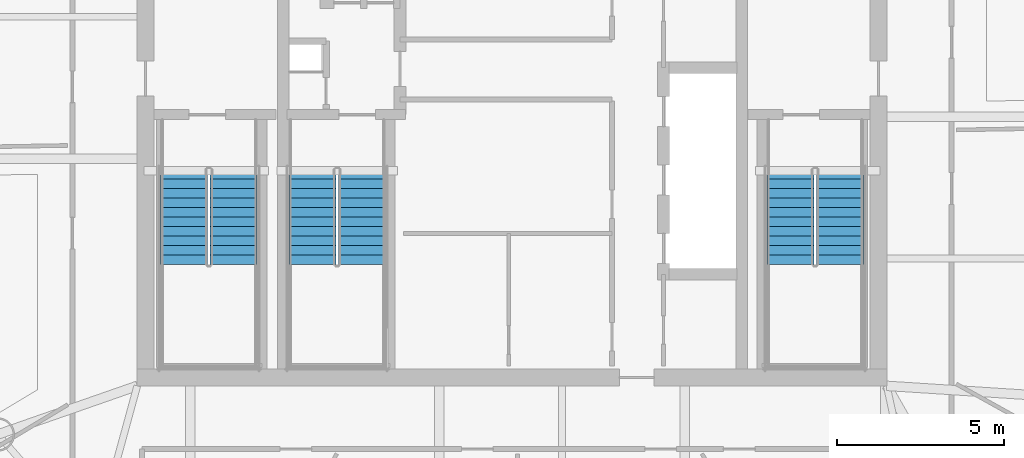
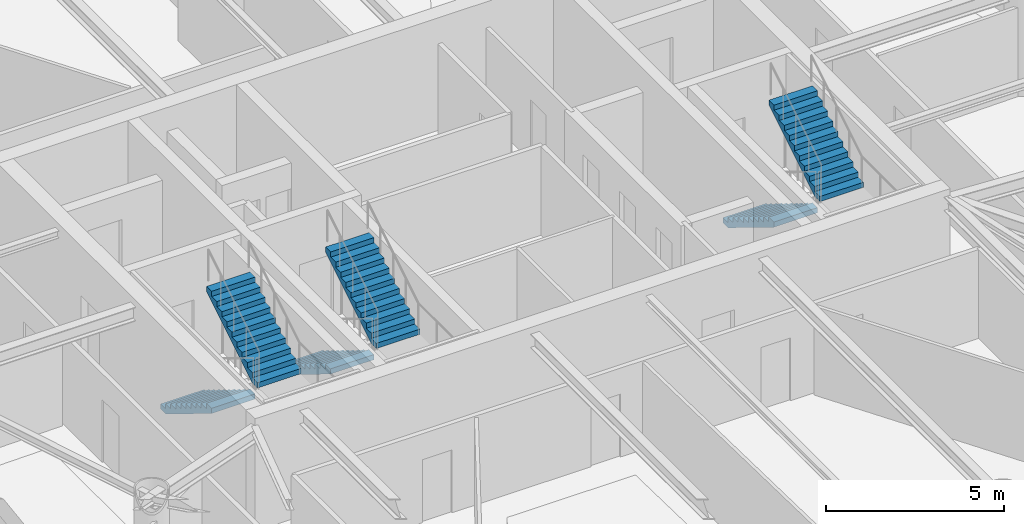
# One storey, part 13 of 16: 6 stair flights, 3 elements without a shape of their own.
"""IFC4 building model written with IfcOpenShell, lengths in metres."""

from ifc_helpers import new_model, si_unit, direction, frame, origin, place, context, subcontext, project, spatial, polyline, outline, extrude, material, type_object, element, aggregate, save


model = new_model("IFC4")

# Units and contexts
model_context = context("Model", 3, precision=1e-05, world=origin(), true_north=direction((0.0, 1.0)))
body_context = subcontext(model_context, "Body", "Model", "MODEL_VIEW")
ifc_project = project(units=[si_unit("LENGTHUNIT", "METRE"), si_unit("AREAUNIT", "SQUARE_METRE"), si_unit("VOLUMEUNIT", "CUBIC_METRE"), si_unit("PLANEANGLEUNIT", "RADIAN"), si_unit("MASSUNIT", "GRAM", prefix="KILO")], contexts=[model_context])

# Site, building, storey
site_placement = place(None, origin())
site = spatial("IfcSite", under=ifc_project, at=site_placement, CompositionType="ELEMENT")
building_placement = place(site_placement, origin())
building = spatial("IfcBuilding", under=site, at=building_placement, Name="Bramvorn Convention Spire", CompositionType="ELEMENT")
storey_placement = place(building_placement, frame((0.0, 0.0, 261.300048828125)))
storey = spatial("IfcBuildingStorey", under=building, at=storey_placement, Name="L66", CompositionType="ELEMENT", Elevation=261.300048828125)

# Stair, stair flights
ifc_material_1 = material(Name="Concrete C40/50 Precast Stair", Category="concrete")
stair_type = type_object("IfcStairType", Name="ST-TOWER-1550", PredefinedType="HALF_TURN_STAIR", material=ifc_material_1)
stair_1_placement = place(storey_placement, origin())
stair_1 = element("IfcStair", 1, at=stair_1_placement, inside=storey, type_object=stair_type, Name="L66 Protected Exit Stair ST1", PredefinedType="HALF_TURN_STAIR")
ifc_material_2 = material(Name="Concrete C40/50 Precast Stair Flight", Category="concrete")
stair_flight_type = type_object("IfcStairFlightType", Name="STF-TOWER-1550", PredefinedType="STRAIGHT", material=ifc_material_2)
stair_flight_1_placement = place(storey_placement, frame((28.155029296875, 25.050048828125, 0.0), z_axis=(0.0, 0.0, 1.0), x_axis=(0.0, -1.0, 0.0)))
stair_flight_1 = element("IfcStairFlight", 2, at=stair_flight_1_placement, type_object=stair_flight_type, Name="ST1 flight 1", NumberOfRisers=11, NumberOfTreads=10, PredefinedType="STRAIGHT", RiserHeight=0.175, TreadLength=0.285, context=body_context, shape_type="SweptSolid", body=[
    extrude(outline(polyline([(0.0, 0.0), (0.0, 0.175048828125), (0.284912109375, 0.175048828125), (0.284912109375, 0.35009765625), (0.570068359375, 0.35009765625), (0.570068359375, 0.52490234375), (0.85498046875, 0.52490234375), (0.85498046875, 0.699951171875), (1.139892578125, 0.699951171875), (1.139892578125, 0.875), (1.425048828125, 0.875), (1.425048828125, 1.050048828125), (1.7099609375, 1.050048828125), (1.7099609375, 1.22509765625), (1.9951171875, 1.22509765625), (1.9951171875, 1.39990234375), (2.280029296875, 1.39990234375), (2.280029296875, 1.574951171875), (2.56494140625, 1.574951171875), (2.56494140625, 1.75), (2.85009765625, 1.75), (2.85009765625, 1.925048828125), (2.85009765625, 1.573974609375), (0.286376953125, 0.0), (0.0, 0.0)])), frame((0.0, 0.705078125, 0.0), z_axis=(0.0, -1.0, 0.0), x_axis=(1.0, 0.0, 0.0)), (0.0, 0.0, 1.0), 1.409912109375),
])
stair_flight_2_placement = place(storey_placement, frame((29.64501953125, 22.199951171875, 1.925048828125), z_axis=(0.0, 0.0, 1.0), x_axis=(0.0, 1.0, 0.0)))
stair_flight_2 = element("IfcStairFlight", 3, at=stair_flight_2_placement, type_object=stair_flight_type, Name="ST1 flight 2", NumberOfRisers=11, NumberOfTreads=10, PredefinedType="STRAIGHT", RiserHeight=0.175, TreadLength=0.285, context=body_context, shape_type="SweptSolid", body=[
    extrude(outline(polyline([(0.0, 0.0), (0.0, 0.175048828125), (0.284912109375, 0.175048828125), (0.284912109375, 0.35009765625), (0.570068359375, 0.35009765625), (0.570068359375, 0.52490234375), (0.85498046875, 0.52490234375), (0.85498046875, 0.699951171875), (1.139892578125, 0.699951171875), (1.139892578125, 0.875), (1.425048828125, 0.875), (1.425048828125, 1.050048828125), (1.7099609375, 1.050048828125), (1.7099609375, 1.22509765625), (1.9951171875, 1.22509765625), (1.9951171875, 1.39990234375), (2.280029296875, 1.39990234375), (2.280029296875, 1.574951171875), (2.56494140625, 1.574951171875), (2.56494140625, 1.75), (2.85009765625, 1.75), (2.85009765625, 1.925048828125), (2.85009765625, 1.573974609375), (0.286376953125, 0.0), (0.0, 0.0)])), frame((0.0, 0.705078125, 0.0), z_axis=(0.0, -1.0, 0.0), x_axis=(1.0, 0.0, 0.0)), (0.0, 0.0, 1.0), 1.409912109375),
])
aggregate(stair_1, [stair_flight_1, stair_flight_2])

stair_2_placement = place(storey_placement, origin())
stair_2 = element("IfcStair", 4, at=stair_2_placement, inside=storey, type_object=stair_type, Name="L66 Protected Exit Stair ST2", PredefinedType="HALF_TURN_STAIR")
stair_flight_3_placement = place(storey_placement, frame((46.35498046875, 25.050048828125, 0.0), z_axis=(0.0, 0.0, 1.0), x_axis=(0.0, -1.0, 0.0)))
stair_flight_3 = element("IfcStairFlight", 5, at=stair_flight_3_placement, type_object=stair_flight_type, Name="ST2 flight 1", NumberOfRisers=11, NumberOfTreads=10, PredefinedType="STRAIGHT", RiserHeight=0.175, TreadLength=0.285, context=body_context, shape_type="SweptSolid", body=[
    extrude(outline(polyline([(0.0, 0.0), (0.0, 0.175048828125), (0.284912109375, 0.175048828125), (0.284912109375, 0.35009765625), (0.570068359375, 0.35009765625), (0.570068359375, 0.52490234375), (0.85498046875, 0.52490234375), (0.85498046875, 0.699951171875), (1.139892578125, 0.699951171875), (1.139892578125, 0.875), (1.425048828125, 0.875), (1.425048828125, 1.050048828125), (1.7099609375, 1.050048828125), (1.7099609375, 1.22509765625), (1.9951171875, 1.22509765625), (1.9951171875, 1.39990234375), (2.280029296875, 1.39990234375), (2.280029296875, 1.574951171875), (2.56494140625, 1.574951171875), (2.56494140625, 1.75), (2.85009765625, 1.75), (2.85009765625, 1.925048828125), (2.85009765625, 1.573974609375), (0.286376953125, 0.0), (0.0, 0.0)])), frame((0.0, 0.705078125, 0.0), z_axis=(0.0, -1.0, 0.0), x_axis=(1.0, 0.0, 0.0)), (0.0, 0.0, 1.0), 1.409912109375),
])
stair_flight_4_placement = place(storey_placement, frame((47.844970703125, 22.199951171875, 1.925048828125), z_axis=(0.0, 0.0, 1.0), x_axis=(0.0, 1.0, 0.0)))
stair_flight_4 = element("IfcStairFlight", 6, at=stair_flight_4_placement, type_object=stair_flight_type, Name="ST2 flight 2", NumberOfRisers=11, NumberOfTreads=10, PredefinedType="STRAIGHT", RiserHeight=0.175, TreadLength=0.285, context=body_context, shape_type="SweptSolid", body=[
    extrude(outline(polyline([(0.0, 0.0), (0.0, 0.175048828125), (0.284912109375, 0.175048828125), (0.284912109375, 0.35009765625), (0.570068359375, 0.35009765625), (0.570068359375, 0.52490234375), (0.85498046875, 0.52490234375), (0.85498046875, 0.699951171875), (1.139892578125, 0.699951171875), (1.139892578125, 0.875), (1.425048828125, 0.875), (1.425048828125, 1.050048828125), (1.7099609375, 1.050048828125), (1.7099609375, 1.22509765625), (1.9951171875, 1.22509765625), (1.9951171875, 1.39990234375), (2.280029296875, 1.39990234375), (2.280029296875, 1.574951171875), (2.56494140625, 1.574951171875), (2.56494140625, 1.75), (2.85009765625, 1.75), (2.85009765625, 1.925048828125), (2.85009765625, 1.573974609375), (0.286376953125, 0.0), (0.0, 0.0)])), frame((0.0, 0.705078125, 0.0), z_axis=(0.0, -1.0, 0.0), x_axis=(1.0, 0.0, 0.0)), (0.0, 0.0, 1.0), 1.409912109375),
])
aggregate(stair_2, [stair_flight_3, stair_flight_4])

stair_3_placement = place(storey_placement, origin())
stair_3 = element("IfcStair", 7, at=stair_3_placement, inside=storey, type_object=stair_type, Name="L66 Protected Exit Stair ST3", PredefinedType="HALF_TURN_STAIR")
stair_flight_5_placement = place(storey_placement, frame((32.0048828125, 25.050048828125, 0.0), z_axis=(0.0, 0.0, 1.0), x_axis=(0.0, -1.0, 0.0)))
stair_flight_5 = element("IfcStairFlight", 8, at=stair_flight_5_placement, type_object=stair_flight_type, Name="ST3 flight 1", NumberOfRisers=11, NumberOfTreads=10, PredefinedType="STRAIGHT", RiserHeight=0.175, TreadLength=0.285, context=body_context, shape_type="SweptSolid", body=[
    extrude(outline(polyline([(0.0, 0.0), (0.0, 0.175048828125), (0.284912109375, 0.175048828125), (0.284912109375, 0.35009765625), (0.570068359375, 0.35009765625), (0.570068359375, 0.52490234375), (0.85498046875, 0.52490234375), (0.85498046875, 0.699951171875), (1.139892578125, 0.699951171875), (1.139892578125, 0.875), (1.425048828125, 0.875), (1.425048828125, 1.050048828125), (1.7099609375, 1.050048828125), (1.7099609375, 1.22509765625), (1.9951171875, 1.22509765625), (1.9951171875, 1.39990234375), (2.280029296875, 1.39990234375), (2.280029296875, 1.574951171875), (2.56494140625, 1.574951171875), (2.56494140625, 1.75), (2.85009765625, 1.75), (2.85009765625, 1.925048828125), (2.85009765625, 1.573974609375), (0.286376953125, 0.0), (0.0, 0.0)])), frame((0.0, 0.705078125, 0.0), z_axis=(0.0, -1.0, 0.0), x_axis=(1.0, 0.0, 0.0)), (0.0, 0.0, 1.0), 1.409912109375),
])
stair_flight_6_placement = place(storey_placement, frame((33.4951171875, 22.199951171875, 1.925048828125), z_axis=(0.0, 0.0, 1.0), x_axis=(0.0, 1.0, 0.0)))
stair_flight_6 = element("IfcStairFlight", 9, at=stair_flight_6_placement, type_object=stair_flight_type, Name="ST3 flight 2", NumberOfRisers=11, NumberOfTreads=10, PredefinedType="STRAIGHT", RiserHeight=0.175, TreadLength=0.285, context=body_context, shape_type="SweptSolid", body=[
    extrude(outline(polyline([(0.0, 0.0), (0.0, 0.175048828125), (0.284912109375, 0.175048828125), (0.284912109375, 0.35009765625), (0.570068359375, 0.35009765625), (0.570068359375, 0.52490234375), (0.85498046875, 0.52490234375), (0.85498046875, 0.699951171875), (1.139892578125, 0.699951171875), (1.139892578125, 0.875), (1.425048828125, 0.875), (1.425048828125, 1.050048828125), (1.7099609375, 1.050048828125), (1.7099609375, 1.22509765625), (1.9951171875, 1.22509765625), (1.9951171875, 1.39990234375), (2.280029296875, 1.39990234375), (2.280029296875, 1.574951171875), (2.56494140625, 1.574951171875), (2.56494140625, 1.75), (2.85009765625, 1.75), (2.85009765625, 1.925048828125), (2.85009765625, 1.573974609375), (0.286376953125, 0.0), (0.0, 0.0)])), frame((0.0, 0.705078125, 0.0), z_axis=(0.0, -1.0, 0.0), x_axis=(1.0, 0.0, 0.0)), (0.0, 0.0, 1.0), 1.409912109375),
])
aggregate(stair_3, [stair_flight_5, stair_flight_6])

save(model, "model.ifc")
